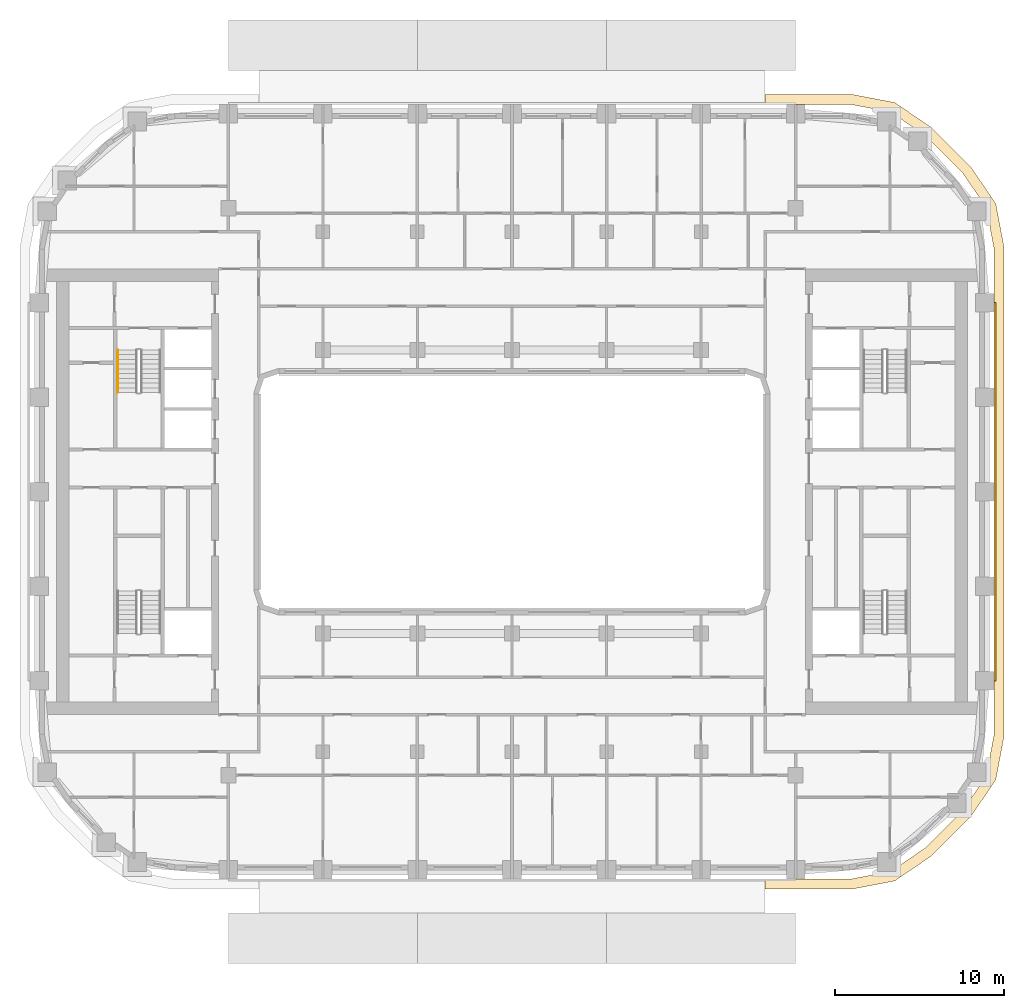
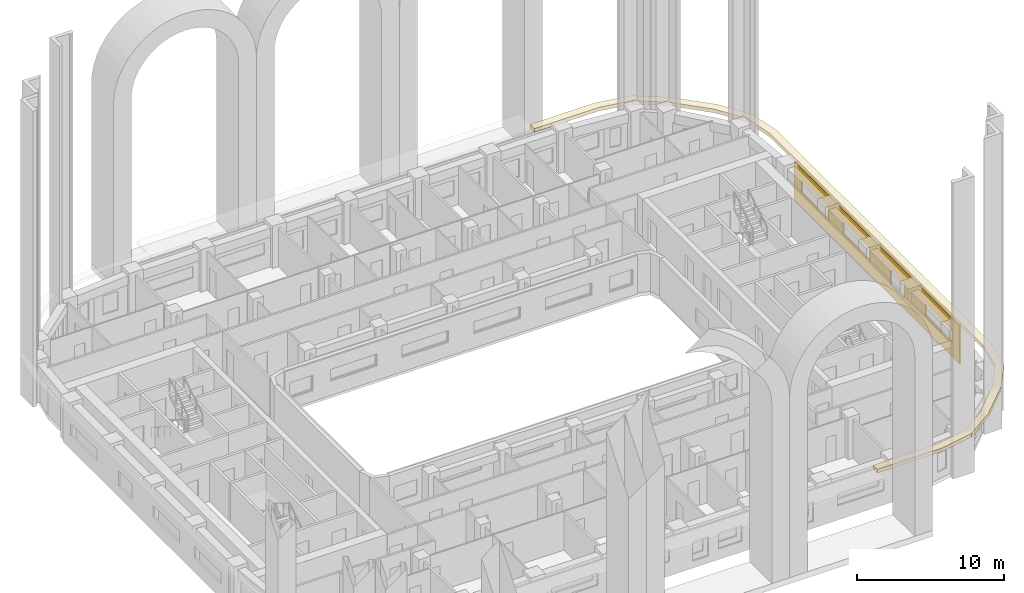
# One storey, part 15 of 18: 2 coverings, 1 railing.
"""IFC4 building model written with IfcOpenShell, lengths in metres."""

from ifc_helpers import new_model, si_unit, direction, frame, origin, origin_2d, place, context, subcontext, project, spatial, polyline, circle, outline, extrude, material, layer, layer_set, type_object, element, save


model = new_model("IFC4")

# Units and contexts
model_context = context("Model", 3, precision=1e-05, world=origin(), true_north=direction((0.0, 1.0)))
body_context = subcontext(model_context, "Body", "Model", "MODEL_VIEW")
ifc_project = project(units=[si_unit("LENGTHUNIT", "METRE"), si_unit("AREAUNIT", "SQUARE_METRE"), si_unit("VOLUMEUNIT", "CUBIC_METRE"), si_unit("PLANEANGLEUNIT", "RADIAN"), si_unit("MASSUNIT", "GRAM", prefix="KILO")], contexts=[model_context])

# Site, building, storey
site_placement = place(None, origin())
site = spatial("IfcSite", under=ifc_project, at=site_placement, CompositionType="ELEMENT")
building_placement = place(site_placement, origin())
building = spatial("IfcBuilding", under=site, at=building_placement, Name="Kiln Ring Residences", CompositionType="ELEMENT")
storey_placement = place(building_placement, frame((0.0, 0.0, 136.10009765625)))
storey = spatial("IfcBuildingStorey", under=building, at=storey_placement, Name="L34", CompositionType="ELEMENT", Elevation=136.10009765625)

# Railing
ifc_material_1 = material(Name="Stainless steel", Category="steel")
railing_type = type_object("IfcRailingType", Name="CORE-STAIR-HANDRAIL", PredefinedType="HANDRAIL", material=ifc_material_1)
railing_placement = place(storey_placement, frame((-23.35009765625, 8.39990234375, 0.1748046875)))
element("IfcRailing", 1, at=railing_placement, inside=storey, type_object=railing_type, Name="L34 W-STN stair handrail 1", PredefinedType="HANDRAIL", context=body_context, shape_type="SweptSolid", body=[
    extrude(circle(Radius=0.02392578125, at=origin_2d()), frame((0.0, 0.0, 0.8759765625), z_axis=(0.0, -0.847970611238, 0.530043245855), x_axis=(1.0, 0.0, 0.0)), (0.0, 0.0, 1.0), 2.971923828125),
    extrude(circle(Radius=0.02099609375, at=origin_2d()), origin(), (0.0, 0.0, 1.0), 0.851806640625),
    extrude(circle(Radius=0.02099609375, at=origin_2d()), frame((0.0, -0.840087890625, 0.525146484375)), (0.0, 0.0, 1.0), 0.851806640625),
    extrude(circle(Radius=0.02099609375, at=origin_2d()), frame((0.0, -1.679931640625, 1.050048828125)), (0.0, 0.0, 1.0), 0.851806640625),
    extrude(circle(Radius=0.02099609375, at=origin_2d()), frame((0.0, -2.52001953125, 1.5751953125)), (0.0, 0.0, 1.0), 0.851806640625),
])

# Coverings
ifc_material_2 = material(Name="Brick masonry, dark clay brick", Category="masonry")
ifc_layer_1 = layer(ifc_material_2, 0.1201171875)
ifc_layer_set_1 = layer_set([ifc_layer_1], Name="RAINSCREEN PANEL 120")
covering_type_1 = type_object("IfcCoveringType", Name="RAINSCREEN PANEL 120", PredefinedType="CLADDING", material=ifc_layer_set_1)
covering_1_placement = place(storey_placement, frame((28.610107421875, -11.199951171875, 0.0), z_axis=(0.0, 0.0, 1.0), x_axis=(0.0, 1.0, 0.0)))
element("IfcCovering", 2, at=covering_1_placement, inside=storey, type_object=covering_type_1, Name="RAINSCREEN L34", PredefinedType="CLADDING", context=body_context, shape_type="SweptSolid", body=[
    extrude(outline(polyline([(0.0, 0.0), (22.39990234375, 0.0), (22.39990234375, 3.199951171875), (0.0, 3.199951171875), (0.0, 0.0)]), holes=[polyline([(9.300048828125, 0.89990234375), (9.300048828125, 2.14990234375), (7.5, 2.14990234375), (7.5, 0.89990234375), (9.300048828125, 0.89990234375)]), polyline([(4.60009765625, 1.199951171875), (4.60009765625, 2.14990234375), (1.0, 2.14990234375), (1.0, 1.199951171875), (4.60009765625, 1.199951171875)]), polyline([(15.800048828125, 1.199951171875), (15.800048828125, 2.14990234375), (12.199951171875, 2.14990234375), (12.199951171875, 1.199951171875), (15.800048828125, 1.199951171875)]), polyline([(21.39990234375, 1.199951171875), (21.39990234375, 2.14990234375), (17.800048828125, 2.14990234375), (17.800048828125, 1.199951171875), (21.39990234375, 1.199951171875)])]), frame((0.0, 0.06005859375, 0.0), z_axis=(0.0, -1.0, 0.0), x_axis=(1.0, 0.0, 0.0)), (0.0, 0.0, 1.0), 0.1201171875),
])
ifc_material_3 = material(Name="Black powder-coated steel", Category="steel")
ifc_layer_2 = layer(ifc_material_3, 0.300048828125)
ifc_layer_set_2 = layer_set([ifc_layer_2], Name="SUNSHADE FIN 600")
covering_type_2 = type_object("IfcCoveringType", Name="SUNSHADE FIN 600", PredefinedType="CLADDING", material=ifc_layer_set_2)
covering_2_placement = place(storey_placement, frame((0.0, 0.0, 3.199951171875)))
element("IfcCovering", 3, at=covering_2_placement, inside=storey, type_object=covering_type_2, Name="SUNSHADE FIN L34", PredefinedType="CLADDING", context=body_context, shape_type="SweptSolid", body=[
    extrude(outline(polyline([(20.108642578125, 23.550048828125), (15.0, 23.550048828125), (15.0, 22.949951171875), (20.052001953125, 22.949951171875), (22.439208984375, 22.49462890625), (24.44921875, 21.128662109375), (26.728515625, 18.84912109375), (28.0947265625, 16.839111328125), (28.550048828125, 14.451904296875), (28.550048828125, -14.451904296875), (28.0947265625, -16.839111328125), (26.728515625, -18.84912109375), (24.44921875, -21.128662109375), (22.439208984375, -22.49462890625), (20.052001953125, -22.949951171875), (15.0, -22.949951171875), (15.0, -23.550048828125), (20.108642578125, -23.550048828125), (22.673583984375, -23.060791015625), (24.83349609375, -21.593017578125), (27.193115234375, -19.2333984375), (28.66064453125, -17.07373046875), (29.14990234375, -14.5087890625), (29.14990234375, 14.5087890625), (28.66064453125, 17.07373046875), (27.193115234375, 19.2333984375), (24.83349609375, 21.593017578125), (22.673583984375, 23.060791015625), (20.108642578125, 23.550048828125)])), origin(), (0.0, 0.0, 1.0), 0.300048828125),
])

save(model, "model.ifc")
